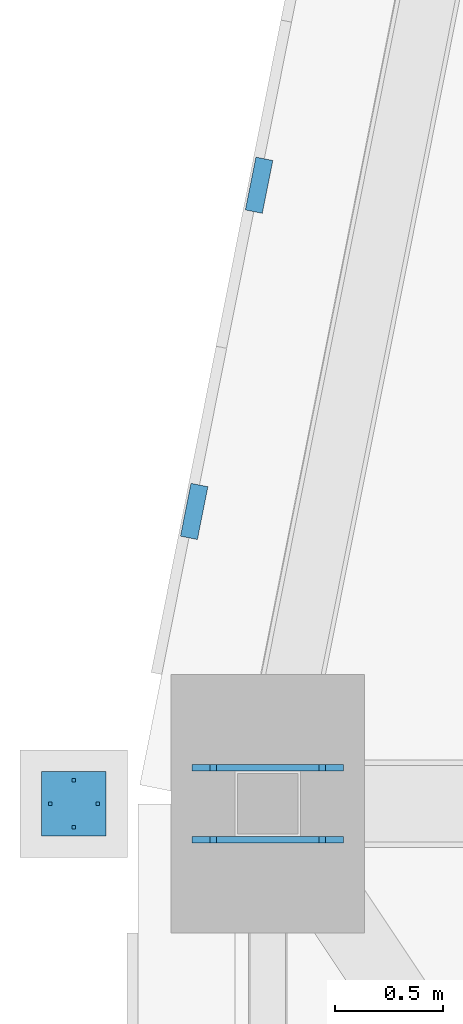
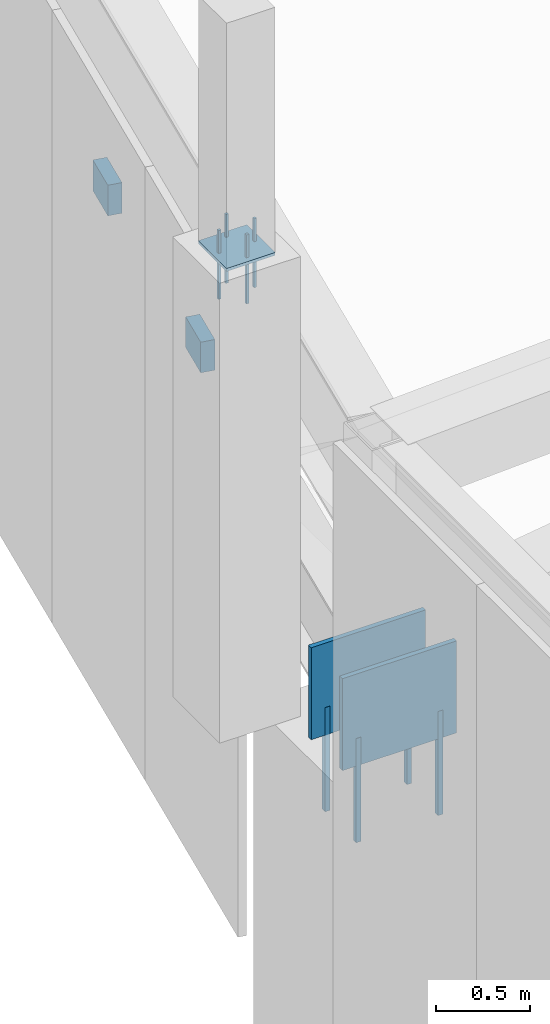
# One storey, part 212 of 278: 8 mechanical fasteners, 5 discrete accessories.
"""IFC4 building model written with IfcOpenShell, lengths in metres."""

from ifc_helpers import new_model, si_unit, direction, frame, origin, origin_2d, place, context, subcontext, project, spatial, rectangle, extrude, material, layer, layer_set, type_object, element, save


model = new_model("IFC4")

# Units and contexts
model_context = context("Model", 3, precision=1e-05, world=origin(), true_north=direction((0.0, 1.0)))
body_context = subcontext(model_context, "Body", "Model", "MODEL_VIEW")
ifc_project = project(units=[si_unit("LENGTHUNIT", "METRE"), si_unit("AREAUNIT", "SQUARE_METRE"), si_unit("VOLUMEUNIT", "CUBIC_METRE"), si_unit("PLANEANGLEUNIT", "RADIAN"), si_unit("MASSUNIT", "GRAM", prefix="KILO")], contexts=[model_context])

# Site, building, storey
site_placement = place(None, origin())
site = spatial("IfcSite", under=ifc_project, at=site_placement, CompositionType="ELEMENT")
building_placement = place(site_placement, origin())
building = spatial("IfcBuilding", under=site, at=building_placement, Name="Ogive Plaza Stadium", CompositionType="ELEMENT")
storey_placement = place(building_placement, frame((0.0, 0.0, 29.0)))
storey = spatial("IfcBuildingStorey", under=building, at=storey_placement, Name="Roof", CompositionType="ELEMENT", Elevation=29.0)

# Mechanical fasteners
ifc_material_1 = material(Name="Steel ASTM A992 Grade 50", Category="steel")
mechanical_fastener_type_1 = type_object("IfcMechanicalFastenerType", Name="Anchor bolt M30 x 600", PredefinedType="ANCHORBOLT", material=ifc_material_1)
for number, where, z_axis, x_axis, name in (
    (1, (-84.25244140625, 52.33349609375, 3.0), (0.0, 0.0, 1.0), (-1.0, 0.0, 0.0), "ANCHOR BOLT 28 BF 1.1"),
    (2, (-83.74755859375, 52.33349609375, 3.0), (0.0, 0.0, 1.0), (-1.0, 0.0, 0.0), "ANCHOR BOLT 28 BF 1.2"),
    (3, (-84.25244140625, 52.66650390625, 3.0), (0.0, 0.0, 1.0), (-1.0, 0.0, 0.0), "ANCHOR BOLT 28 BF 2.1"),
    (4, (-83.74755859375, 52.66650390625, 3.0), (0.0, 0.0, 1.0), (-1.0, 0.0, 0.0), "ANCHOR BOLT 28 BF 2.2"),
):
    element("IfcMechanicalFastener", number, at=place(storey_placement, frame(where, z_axis=z_axis, x_axis=x_axis)), inside=storey, type_object=mechanical_fastener_type_1, Name=name, PredefinedType="ANCHORBOLT", context=body_context, shape_type="SweptSolid", body=[
        extrude(rectangle(XDim=0.030029296875, YDim=0.030029296875, at=origin_2d()), origin(), (0.0, 0.0, 1.0), 0.679931640625),
    ])
ifc_material_2 = material(Name="Steel ASTM A992 Grade 50", Category="steel")
mechanical_fastener_type_2 = type_object("IfcMechanicalFastenerType", Name="Spire anchor bolt M16 x 450", PredefinedType="ANCHORBOLT", material=ifc_material_2)
for number, where, z_axis, x_axis, name in (
    (5, (-85.010009765625, 52.5, 6.7001953125), (0.0, 0.0, 1.0), (-1.0, 0.0, 0.0), "SPIRE ANCHOR BOLT 28 1"),
    (6, (-84.7900390625, 52.5, 6.7001953125), (0.0, 0.0, 1.0), (-1.0, 0.0, 0.0), "SPIRE ANCHOR BOLT 28 2"),
    (7, (-84.89990234375, 52.389892578125, 6.7001953125), (0.0, 0.0, 1.0), (-1.0, 0.0, 0.0), "SPIRE ANCHOR BOLT 28 3"),
    (8, (-84.89990234375, 52.610107421875, 6.7001953125), (0.0, 0.0, 1.0), (-1.0, 0.0, 0.0), "SPIRE ANCHOR BOLT 28 4"),
):
    element("IfcMechanicalFastener", number, at=place(storey_placement, frame(where, z_axis=z_axis, x_axis=x_axis)), inside=storey, type_object=mechanical_fastener_type_2, Name=name, PredefinedType="ANCHORBOLT", context=body_context, shape_type="SweptSolid", body=[
        extrude(rectangle(XDim=0.01611328125, YDim=0.01611328125, at=origin_2d()), origin(), (0.0, 0.0, 1.0), 0.449951171875),
    ])

# Discrete accessories
ifc_material_3 = material(Name="Steel ASTM A992 Grade 50", Category="steel")
ifc_layer_1 = layer(ifc_material_3, 0.02001953125)
ifc_layer_set_1 = layer_set([ifc_layer_1], Name="Steel ASTM A992 Grade 50")
discrete_accessory_type_1 = type_object("IfcDiscreteAccessoryType", Name="Spire seat plate 20", PredefinedType="ANCHORPLATE", material=ifc_layer_set_1)
discrete_accessory_placement = place(storey_placement, frame((-84.89990234375, 52.5, 6.98095703125), z_axis=(0.0, 0.0, 1.0), x_axis=(-1.0, 0.0, 0.0)))
element("IfcDiscreteAccessory", 9, at=discrete_accessory_placement, inside=storey, type_object=discrete_accessory_type_1, Name="SPIRE SEAT PLATE 28", PredefinedType="ANCHORPLATE", context=body_context, shape_type="SweptSolid", body=[
    extrude(rectangle(XDim=0.300048828125, YDim=0.300048828125, at=origin_2d()), origin(), (0.0, 0.0, 1.0), 0.02001953125),
])
ifc_material_4 = material(Name="Steel ASTM A572 Grade 50", Category="steel")
ifc_layer_2 = layer(ifc_material_4, 0.080078125)
ifc_layer_set_2 = layer_set([ifc_layer_2], Name="Steel ASTM A572 Grade 50")
discrete_accessory_type_2 = type_object("IfcDiscreteAccessoryType", Name="Tracery screen bracket 250x200", PredefinedType="BRACKET", material=ifc_layer_set_2)
for number, where, z_axis, x_axis, name in (
    (10, (-84.34130859375, 53.85693359375, 5.25), (0.0, 0.0, 1.0), (0.195090322016, 0.980785280403, 0.0), "TRACERY SCREEN BRACKET B28 1"),
    (11, (-84.0400390625, 55.37109375, 5.25), (0.0, 0.0, 1.0), (0.195090322016, 0.980785280403, 0.0), "TRACERY SCREEN BRACKET B28 2"),
):
    element("IfcDiscreteAccessory", number, at=place(storey_placement, frame(where, z_axis=z_axis, x_axis=x_axis)), inside=storey, type_object=discrete_accessory_type_2, Name=name, PredefinedType="BRACKET", context=body_context, shape_type="SweptSolid", body=[
        extrude(rectangle(XDim=0.25, YDim=0.080078125, at=origin_2d()), origin(), (0.0, 0.0, 1.0), 0.199951171875),
    ])
ifc_material_5 = material(Name="Steel ASTM A992 Grade 50", Category="steel")
ifc_layer_3 = layer(ifc_material_5, 0.030029296875)
ifc_layer_set_3 = layer_set([ifc_layer_3], Name="Steel ASTM A992 Grade 50")
discrete_accessory_type_3 = type_object("IfcDiscreteAccessoryType", Name="Truss back-stay foot cleat plate 30", PredefinedType="ANCHORPLATE", material=ifc_layer_set_3)
for number, where, z_axis, x_axis, name in (
    (12, (-84.0, 52.33349609375, 3.5), (0.0, 0.0, 1.0), (-1.0, 0.0, 0.0), "TRUSS BACK-STAY FOOT CLEAT PLATE 28 1"),
    (13, (-84.0, 52.66650390625, 3.5), (0.0, 0.0, 1.0), (-1.0, 0.0, 0.0), "TRUSS BACK-STAY FOOT CLEAT PLATE 28 2"),
):
    element("IfcDiscreteAccessory", number, at=place(storey_placement, frame(where, z_axis=z_axis, x_axis=x_axis)), inside=storey, type_object=discrete_accessory_type_3, Name=name, PredefinedType="ANCHORPLATE", context=body_context, shape_type="SweptSolid", body=[
        extrude(rectangle(XDim=0.704833984375, YDim=0.030029296875, at=origin_2d()), origin(), (0.0, 0.0, 1.0), 0.60009765625),
    ])

save(model, "model.ifc")
